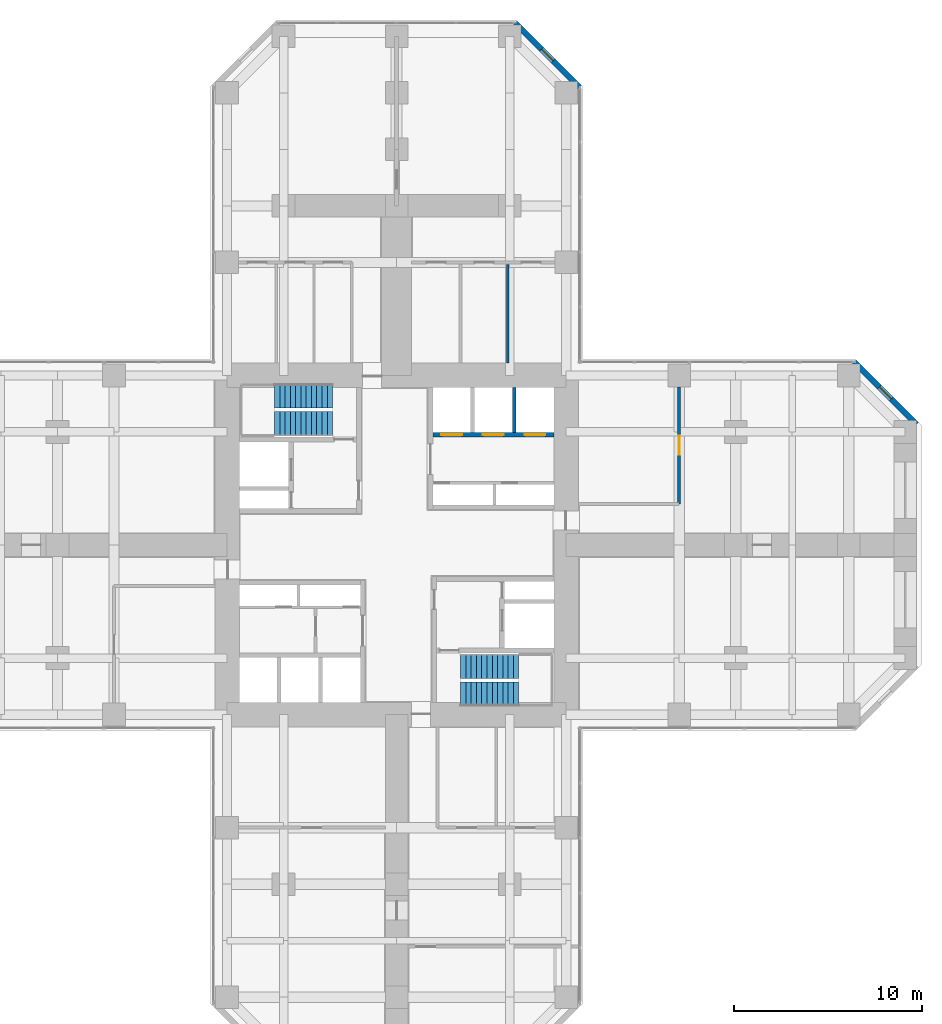
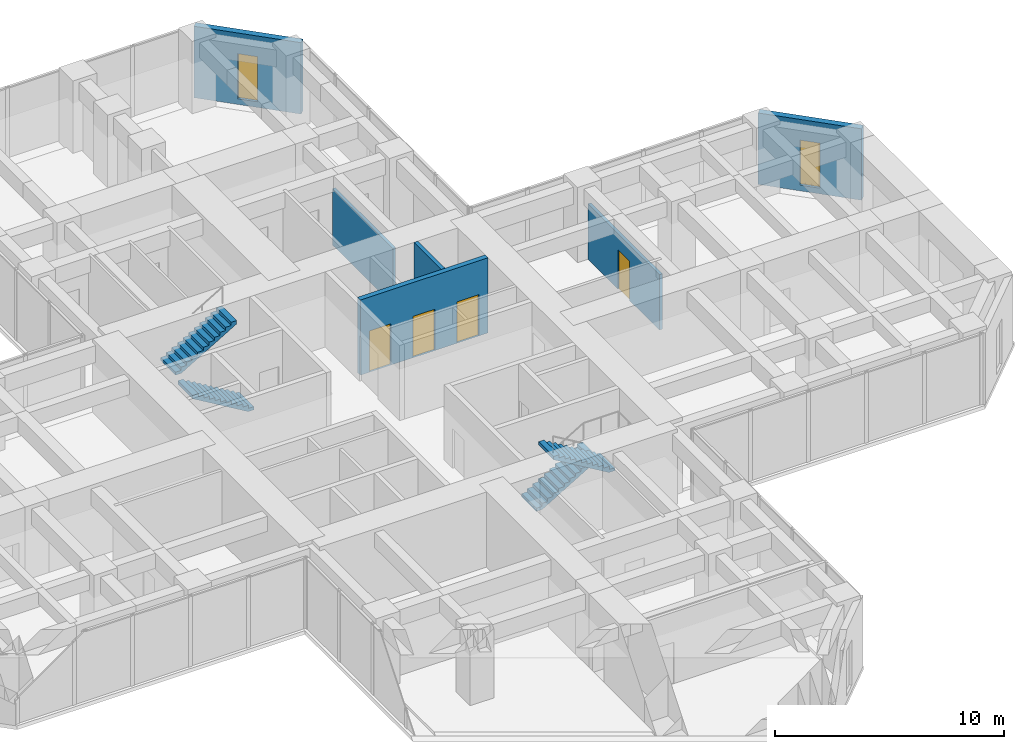
# One storey, part 11 of 12: 6 walls, 4 doors, 4 stair flights, 2 windows, 6 openings, 2 elements without a shape of their own.
"""IFC4 building model written with IfcOpenShell, lengths in metres."""

import ifcopenshell
import ifcopenshell.guid

model = None  # the IFC model being written
_history = None  # IfcOwnerHistory: only IFC2X3 demands one
_inside = {}  # id of a spatial element -> (the spatial element, [elements in it])
_under = {}  # id of a project, library or spatial element -> (it, [spatial elements below it])
_declared = {}  # id of a project -> (the project, [libraries it declares])
_typed = {}  # id of a type object -> (the type object, [elements of that type])
_made_of = {}  # id of a material, layer set ... -> (it, [elements and type objects made of it])


def new_model(schema):
    """Start an empty IFC model of exactly this schema.

    Asked for "IFC4X3", IfcOpenShell would pick the latest addendum, in which some entities
    have other attributes; the version numbers below select the first issue.
    IFC2X3 requires an IfcOwnerHistory on every rooted entity: one is made here for all.
    """
    global model, _history
    if schema == "IFC4X3":
        model = ifcopenshell.file(schema_version=(4, 3, 0, 0))
    else:
        model = ifcopenshell.file(schema=schema)
    _inside.clear()
    _under.clear()
    _declared.clear()
    _typed.clear()
    _made_of.clear()
    _history = None
    if model.schema == "IFC2X3":
        org = make("IfcOrganization", Name="unknown")
        user = make(
            "IfcPersonAndOrganization",
            ThePerson=make("IfcPerson", FamilyName="unknown"),
            TheOrganization=org,
        )
        app = make(
            "IfcApplication",
            ApplicationDeveloper=org,
            Version="unknown",
            ApplicationFullName="unknown",
            ApplicationIdentifier="unknown",
        )
        _history = make(
            "IfcOwnerHistory",
            OwningUser=user,
            OwningApplication=app,
            ChangeAction="ADDED",
            CreationDate=0,
        )
    return model


def make(cls, **values):
    """One entity of the class cls with the attributes given. An attribute that is None is left unset."""
    return model.create_entity(
        cls, **{name: value for name, value in values.items() if value is not None}
    )


def rooted(cls, **values):
    """An entity with a GlobalId (a new one), such as an element, a storey or a relation."""
    return make(cls, GlobalId=ifcopenshell.guid.new(), OwnerHistory=_history, **values)


def si_unit(unit_type, name, prefix=None):
    """IfcSIUnit, for example si_unit("LENGTHUNIT", "METRE", prefix="MILLI")."""
    return make("IfcSIUnit", UnitType=unit_type, Prefix=prefix, Name=name)


def assignment(units):
    """IfcUnitAssignment: the units of a project."""
    return None if units is None else make("IfcUnitAssignment", Units=units)


def point(xyz):
    """IfcCartesianPoint."""
    return None if xyz is None else make("IfcCartesianPoint", Coordinates=xyz)


def direction(xyz):
    """IfcDirection."""
    return None if xyz is None else make("IfcDirection", DirectionRatios=xyz)


def frame(location, z_axis=None, x_axis=None):
    """IfcAxis2Placement3D, a coordinate frame: its origin and axes. An axis left out is left unset."""
    return make(
        "IfcAxis2Placement3D",
        Location=point(location),
        Axis=direction(z_axis),
        RefDirection=direction(x_axis),
    )


def frame_2d(location, x_axis=None):
    """IfcAxis2Placement2D, a coordinate frame in the plane: its origin and x axis."""
    return make(
        "IfcAxis2Placement2D", Location=point(location), RefDirection=direction(x_axis)
    )


def origin():
    """The frame at (0, 0, 0) with its axes left unset."""
    return frame((0.0, 0.0, 0.0))


def place(relative_to, where):
    """IfcLocalPlacement: puts the frame where relative to a parent placement (None: the world)."""
    return make(
        "IfcLocalPlacement", PlacementRelTo=relative_to, RelativePlacement=where
    )


def context(
    kind, dimensions, precision=None, world=None, true_north=None, identifier=None
):
    """IfcGeometricRepresentationContext, for example the 3D "Model" context."""
    return make(
        "IfcGeometricRepresentationContext",
        ContextIdentifier=identifier,
        ContextType=kind,
        CoordinateSpaceDimension=dimensions,
        Precision=precision,
        WorldCoordinateSystem=world,
        TrueNorth=true_north,
    )


def subcontext(parent, identifier, kind, view, scale=None):
    """IfcGeometricRepresentationSubContext, for example "Body" below "Model"."""
    return make(
        "IfcGeometricRepresentationSubContext",
        ContextIdentifier=identifier,
        ContextType=kind,
        ParentContext=parent,
        TargetScale=scale,
        TargetView=view,
    )


def project(units=None, contexts=None):
    """IfcProject with its units and contexts."""
    return rooted(
        "IfcProject",
        Name="project",
        RepresentationContexts=contexts,
        UnitsInContext=assignment(units),
    )


def spatial(cls, under=None, at=None, **own):
    """A site, building, storey or space (cls), placed at a placement, below another one or the project."""
    s = rooted(cls, ObjectPlacement=at, **own)
    if under is not None:
        _under.setdefault(under.id(), (under, []))[1].append(s)
    return s


def polyline(points):
    """IfcPolyline through the points."""
    return make("IfcPolyline", Points=[point(p) for p in points])


def profile(cls, at=None, kind="AREA", **sizes):
    """A parametric profile (cls). Its sizes go by their IFC names, for example OverallWidth=200.0."""
    return make(cls, ProfileType=kind, Position=at, **sizes)


def rectangle(**sizes):
    """IfcRectangleProfileDef."""
    return profile("IfcRectangleProfileDef", **sizes)


def hollow_rectangle(**sizes):
    """IfcRectangleHollowProfileDef."""
    return profile("IfcRectangleHollowProfileDef", **sizes)


def outline(outer, holes=None, kind="AREA"):
    """IfcArbitraryClosedProfileDef: a profile drawn as a closed curve; with holes, ...WithVoids."""
    if holes is None:
        return make("IfcArbitraryClosedProfileDef", ProfileType=kind, OuterCurve=outer)
    return make(
        "IfcArbitraryProfileDefWithVoids",
        ProfileType=kind,
        OuterCurve=outer,
        InnerCurves=holes,
    )


def extrude(swept, where, along, depth):
    """IfcExtrudedAreaSolid: the profile swept, set in the frame where, extruded along a direction by depth."""
    return make(
        "IfcExtrudedAreaSolid",
        SweptArea=swept,
        Position=where,
        ExtrudedDirection=direction(along),
        Depth=depth,
    )


def shape(context_of_items, identifier, shape_type, items):
    """IfcShapeRepresentation: the items that make up one representation, for example the "Body"."""
    return make(
        "IfcShapeRepresentation",
        ContextOfItems=context_of_items,
        RepresentationIdentifier=identifier,
        RepresentationType=shape_type,
        Items=items,
    )


def material(Name=None, Category=None):
    """IfcMaterial."""
    return make("IfcMaterial", Name=Name, Category=Category)


def layer(
    of_material, thickness, ventilated=None, Name=None, Category=None, Priority=None
):
    """IfcMaterialLayer: one layer of a wall or slab, of a material (None: an air gap)."""
    return make(
        "IfcMaterialLayer",
        Material=of_material,
        LayerThickness=thickness,
        IsVentilated=ventilated,
        Name=Name,
        Category=Category,
        Priority=Priority,
    )


def layer_set(layers, Name=None):
    """IfcMaterialLayerSet."""
    return make("IfcMaterialLayerSet", MaterialLayers=layers, LayerSetName=Name)


def constituent(of_material, Name=None, Category=None, fraction=None):
    """IfcMaterialConstituent: one of the materials an element consists of."""
    return make(
        "IfcMaterialConstituent",
        Name=Name,
        Material=of_material,
        Fraction=fraction,
        Category=Category,
    )


def constituent_set(constituents=None, Name=None):
    """IfcMaterialConstituentSet."""
    return make(
        "IfcMaterialConstituentSet", Name=Name, MaterialConstituents=constituents
    )


def made_of(thing, what):
    """Note that an element or type object is made of a material, layer set ...; save() writes the relation."""
    if what is not None:
        _made_of.setdefault(what.id(), (what, []))[1].append(thing)
    return thing


def type_object(cls, material=None, **own):
    """A type object (cls), such as IfcWallType, which elements share."""
    return made_of(rooted(cls, **own), material)


def element(
    cls,
    number,
    at=None,
    inside=None,
    cuts=None,
    type_object=None,
    material=None,
    context=None,
    identifier="Body",
    shape_type=None,
    held_by="IfcProductDefinitionShape",
    body=None,
    shapes=None,
    **own,
):
    """One element of the class cls, such as IfcWall. Its Tag is "e" and its number.

    at: its placement. inside: the storey or other place that contains it. cuts: it is an
    opening in that element (IfcRelVoidsElement). A single representation is given by context,
    identifier, shape_type and body (its items); several are given by shapes. held_by: the class
    of the entity that holds the representations. save() writes the other relations.
    """
    e = rooted(cls, Tag="e%d" % number, ObjectPlacement=at, **own)
    if body is not None:
        shapes = [shape(context, identifier, shape_type, body)]
    if shapes is not None:
        e.Representation = make(held_by, Representations=shapes)
    if inside is not None:
        _inside.setdefault(inside.id(), (inside, []))[1].append(e)
    if cuts is not None:
        rooted(
            "IfcRelVoidsElement", RelatingBuildingElement=cuts, RelatedOpeningElement=e
        )
    if type_object is not None:
        _typed.setdefault(type_object.id(), (type_object, []))[1].append(e)
    return made_of(e, material)


def fill(opening, filler):
    """IfcRelFillsElement: the door or window that sits in an opening."""
    return rooted(
        "IfcRelFillsElement",
        RelatingOpeningElement=opening,
        RelatedBuildingElement=filler,
    )


def aggregate(whole, parts):
    """IfcRelAggregates: a whole, such as a stair, and the parts it consists of."""
    return rooted("IfcRelAggregates", RelatingObject=whole, RelatedObjects=parts)


def save(model, path):
    """Write the relations noted so far, then the file.

    IfcRelAggregates (storeys below a building ...), IfcRelContainedInSpatialStructure (elements
    in a storey), IfcRelDefinesByType, IfcRelAssociatesMaterial and IfcRelDeclares: one each for
    every whole, place, type object, material and project.
    """
    for whole, parts in _under.values():
        aggregate(whole, parts)
    for where, things in _inside.values():
        rooted(
            "IfcRelContainedInSpatialStructure",
            RelatedElements=things,
            RelatingStructure=where,
        )
    for kind, things in _typed.values():
        rooted("IfcRelDefinesByType", RelatedObjects=things, RelatingType=kind)
    for what, things in _made_of.values():
        rooted("IfcRelAssociatesMaterial", RelatedObjects=things, RelatingMaterial=what)
    for by, libraries in _declared.values():
        rooted("IfcRelDeclares", RelatingContext=by, RelatedDefinitions=libraries)
    model.write(path)


model = new_model("IFC4")

# Units and contexts
model_context = context("Model", 3, precision=1e-05, world=origin(), true_north=direction((0.0, 1.0)))
body_context = subcontext(model_context, "Body", "Model", "MODEL_VIEW")
ifc_project = project(units=[si_unit("LENGTHUNIT", "METRE"), si_unit("AREAUNIT", "SQUARE_METRE"), si_unit("VOLUMEUNIT", "CUBIC_METRE"), si_unit("PLANEANGLEUNIT", "RADIAN"), si_unit("MASSUNIT", "GRAM", prefix="KILO")], contexts=[model_context])

# Site, building, storey
site_placement = place(None, origin())
site = spatial("IfcSite", under=ifc_project, at=site_placement, CompositionType="ELEMENT")
building_placement = place(site_placement, origin())
building = spatial("IfcBuilding", under=site, at=building_placement, Name="Torre Cruceta", CompositionType="ELEMENT")
storey_placement = place(building_placement, frame((0.0, 0.0, 75.5)))
storey = spatial("IfcBuildingStorey", under=building, at=storey_placement, Name="L18", CompositionType="ELEMENT", Elevation=75.5)

# Wall, openings, doors
ifc_material_1 = material(Name="Concrete G60 (fck 60 MPa)", Category="concrete")
ifc_layer_1 = layer(ifc_material_1, 0.25)
ifc_layer_set_1 = layer_set([ifc_layer_1], Name="Concrete G60 (fck 60 MPa)")
wall_type_1 = type_object("IfcWallType", Name="CORE INNER WALL 250 G60", PredefinedType="SHEAR", material=ifc_layer_set_1)
wall_1_placement = place(storey_placement, frame((1.925048828125, 5.85009765625, 0.0), z_axis=(0.0, 0.0, 1.0), x_axis=(1.0, 0.0, 0.0)))
wall_1 = element("IfcWall", 1, at=wall_1_placement, inside=storey, type_object=wall_type_1, Name="CW4 L18 NE-LV", PredefinedType="SHEAR", context=body_context, shape_type="SweptSolid", body=[
    extrude(rectangle(XDim=6.425048828125, YDim=0.25, at=frame_2d((3.21240234375, 0.0))), origin(), (0.0, 0.0, 1.0), 4.0),
])
opening_1_placement = place(wall_1_placement, frame((0.4541015625, 0.0, 0.0)))
opening_1 = element("IfcOpeningElement", 2, at=opening_1_placement, cuts=wall_1, Name="Opening LD1", PredefinedType="OPENING", context=body_context, shape_type="SweptSolid", body=[
    extrude(rectangle(XDim=1.10009765625, YDim=2.199951171875, at=frame_2d((0.550048828125, 1.10009765625))), frame((0.0, 0.135009765625, 0.0), z_axis=(0.0, -1.0, 0.0), x_axis=(1.0, 0.0, 0.0)), (0.0, 0.0, 1.0), 0.27001953125),
])
opening_2_placement = place(wall_1_placement, frame((2.66259765625, 0.0, 0.0)))
opening_2 = element("IfcOpeningElement", 3, at=opening_2_placement, cuts=wall_1, Name="Opening LD1", PredefinedType="OPENING", context=body_context, shape_type="SweptSolid", body=[
    extrude(rectangle(XDim=1.10009765625, YDim=2.199951171875, at=frame_2d((0.550048828125, 1.10009765625))), frame((0.0, 0.135009765625, 0.0), z_axis=(0.0, -1.0, 0.0), x_axis=(1.0, 0.0, 0.0)), (0.0, 0.0, 1.0), 0.27001953125),
])
opening_3_placement = place(wall_1_placement, frame((4.870849609375, 0.0, 0.0)))
opening_3 = element("IfcOpeningElement", 4, at=opening_3_placement, cuts=wall_1, Name="Opening LD1", PredefinedType="OPENING", context=body_context, shape_type="SweptSolid", body=[
    extrude(rectangle(XDim=1.10009765625, YDim=2.199951171875, at=frame_2d((0.550048828125, 1.10009765625))), frame((0.0, 0.135009765625, 0.0), z_axis=(0.0, -1.0, 0.0), x_axis=(1.0, 0.0, 0.0)), (0.0, 0.0, 1.0), 0.27001953125),
])
ifc_material_2 = material(Name="Stainless steel 1.4401", Category="steel")
door_type_1 = type_object("IfcDoorType", Name="LIFT LANDING DOOR 1100X2200", OperationType="DOUBLE_DOOR_SLIDING", PredefinedType="DOOR", material=ifc_material_2)
door_1_placement = place(opening_1_placement, origin())
door_1 = element("IfcDoor", 5, at=door_1_placement, inside=storey, type_object=door_type_1, Name="Lift landing door P1", OperationType="DOUBLE_DOOR_SLIDING", OverallHeight=2.199951171875, OverallWidth=1.10009765625, PredefinedType="DOOR", context=body_context, shape_type="SweptSolid", body=[
    extrude(rectangle(XDim=1.10009765625, YDim=2.199951171875, at=frame_2d((0.550048828125, 1.10009765625))), frame((0.0, 0.02490234375, 0.0), z_axis=(0.0, -1.0, 0.0), x_axis=(1.0, 0.0, 0.0)), (0.0, 0.0, 1.0), 0.050048828125),
])
fill(opening_1, door_1)
door_2_placement = place(opening_2_placement, origin())
door_2 = element("IfcDoor", 6, at=door_2_placement, inside=storey, type_object=door_type_1, Name="Lift landing door P2", OperationType="DOUBLE_DOOR_SLIDING", OverallHeight=2.199951171875, OverallWidth=1.10009765625, PredefinedType="DOOR", context=body_context, shape_type="SweptSolid", body=[
    extrude(rectangle(XDim=1.10009765625, YDim=2.199951171875, at=frame_2d((0.550048828125, 1.10009765625))), frame((0.0, 0.02490234375, 0.0), z_axis=(0.0, -1.0, 0.0), x_axis=(1.0, 0.0, 0.0)), (0.0, 0.0, 1.0), 0.050048828125),
])
fill(opening_2, door_2)
door_3_placement = place(opening_3_placement, origin())
door_3 = element("IfcDoor", 7, at=door_3_placement, inside=storey, type_object=door_type_1, Name="Lift landing door P3", OperationType="DOUBLE_DOOR_SLIDING", OverallHeight=2.199951171875, OverallWidth=1.10009765625, PredefinedType="DOOR", context=body_context, shape_type="SweptSolid", body=[
    extrude(rectangle(XDim=1.10009765625, YDim=2.199951171875, at=frame_2d((0.550048828125, 1.10009765625))), frame((0.0, 0.02490234375, 0.0), z_axis=(0.0, -1.0, 0.0), x_axis=(1.0, 0.0, 0.0)), (0.0, 0.0, 1.0), 0.050048828125),
])
fill(opening_3, door_3)

# Wall, opening, window
ifc_material_3 = material(Name="Concrete G30 (fck 30 MPa)", Category="concrete")
ifc_layer_2 = layer(ifc_material_3, 0.300048828125)
ifc_layer_set_2 = layer_set([ifc_layer_2], Name="Concrete G30 (fck 30 MPa)")
wall_type_2 = type_object("IfcWallType", Name="EXPOSED CONCRETE FACADE WALL 300", PredefinedType="SOLIDWALL", material=ifc_layer_set_2)
wall_2_placement = place(storey_placement, frame((27.60009765625, 6.418212890625, 0.0), z_axis=(0.0, 0.0, 1.0), x_axis=(-0.707106781187, 0.707106781187, 0.0)))
wall_2 = element("IfcWall", 8, at=wall_2_placement, inside=storey, type_object=wall_type_2, Name="EW1 facade wall L18 E chamfer 03", PredefinedType="SOLIDWALL", context=body_context, shape_type="SweptSolid", body=[
    extrude(rectangle(XDim=4.66943359375, YDim=0.300048828125, at=frame_2d((2.334716796875, 0.0))), origin(), (0.0, 0.0, 1.0), 3.800048828125),
])
opening_4_placement = place(wall_2_placement, frame((1.884765625, 0.0, 0.300048828125)))
opening_4 = element("IfcOpeningElement", 9, at=opening_4_placement, cuts=wall_2, Name="Opening WN5", PredefinedType="OPENING", context=body_context, shape_type="SweptSolid", body=[
    extrude(rectangle(XDim=0.89990234375, YDim=2.39990234375, at=frame_2d((0.449951171875, 1.199951171875))), frame((0.0, 0.159912109375, 0.0), z_axis=(0.0, -1.0, 0.0), x_axis=(1.0, 0.0, 0.0)), (0.0, 0.0, 1.0), 0.320068359375),
])
ifc_material_4 = material(Name="Aluminium window frame", Category="aluminium")
ifc_constituent_1 = constituent(ifc_material_4, Name="Frame")
ifc_material_5 = material(Name="Laminated insulating glass unit, low-iron clear", Category="glass")
ifc_constituent_2 = constituent(ifc_material_5, Name="Glazing")
ifc_constituent_set_1 = constituent_set(constituents=[ifc_constituent_1, ifc_constituent_2], Name="Aluminium window")
window_type = type_object("IfcWindowType", Name="CHAMFER SLOT WINDOW 900X2400", PartitioningType="SINGLE_PANEL", PredefinedType="WINDOW", material=ifc_constituent_set_1)
window_1_placement = place(opening_4_placement, origin())
window_1 = element("IfcWindow", 10, at=window_1_placement, inside=storey, type_object=window_type, Name="WN5 L18 E 1", OverallHeight=2.39990234375, OverallWidth=0.89990234375, PartitioningType="SINGLE_PANEL", PredefinedType="WINDOW", context=body_context, shape_type="SweptSolid", body=[
    extrude(hollow_rectangle(XDim=0.89990234375, YDim=2.39990234375, WallThickness=0.06005859375, at=frame_2d((0.449951171875, 1.199951171875))), frame((0.0, 0.030029296875, 0.0), z_axis=(0.0, -1.0, 0.0), x_axis=(1.0, 0.0, 0.0)), (0.0, 0.0, 1.0), 0.06005859375),
    extrude(rectangle(XDim=0.77880859375, YDim=2.27880859375, at=frame_2d((0.449951171875, 1.199951171875))), frame((0.0, 0.030029296875, 0.0), z_axis=(0.0, -1.0, 0.0), x_axis=(1.0, 0.0, 0.0)), (0.0, 0.0, 1.0), 0.06005859375),
])
fill(opening_4, window_1)

wall_3_placement = place(storey_placement, frame((9.719970703125, 24.29833984375, 0.0), z_axis=(0.0, 0.0, 1.0), x_axis=(-0.707106781187, 0.707106781187, 0.0)))
wall_3 = element("IfcWall", 11, at=wall_3_placement, inside=storey, type_object=wall_type_2, Name="EW1 facade wall L18 N chamfer 06", PredefinedType="SOLIDWALL", context=body_context, shape_type="SweptSolid", body=[
    extrude(rectangle(XDim=4.8388671875, YDim=0.300048828125, at=frame_2d((2.41943359375, 0.0))), origin(), (0.0, 0.0, 1.0), 3.800048828125),
])
opening_5_placement = place(wall_3_placement, frame((1.969482421875, 0.0, 0.300048828125)))
opening_5 = element("IfcOpeningElement", 12, at=opening_5_placement, cuts=wall_3, Name="Opening WN5", PredefinedType="OPENING", context=body_context, shape_type="SweptSolid", body=[
    extrude(rectangle(XDim=0.89990234375, YDim=2.39990234375, at=frame_2d((0.449951171875, 1.199951171875))), frame((0.0, 0.159912109375, 0.0), z_axis=(0.0, -1.0, 0.0), x_axis=(1.0, 0.0, 0.0)), (0.0, 0.0, 1.0), 0.320068359375),
])
window_2_placement = place(opening_5_placement, origin())
window_2 = element("IfcWindow", 13, at=window_2_placement, inside=storey, type_object=window_type, Name="WN5 L18 N 1", OverallHeight=2.39990234375, OverallWidth=0.89990234375, PartitioningType="SINGLE_PANEL", PredefinedType="WINDOW", context=body_context, shape_type="SweptSolid", body=[
    extrude(hollow_rectangle(XDim=0.89990234375, YDim=2.39990234375, WallThickness=0.06005859375, at=frame_2d((0.449951171875, 1.199951171875))), frame((0.0, 0.030029296875, 0.0), z_axis=(0.0, -1.0, 0.0), x_axis=(1.0, 0.0, 0.0)), (0.0, 0.0, 1.0), 0.06005859375),
    extrude(rectangle(XDim=0.77880859375, YDim=2.27880859375, at=frame_2d((0.449951171875, 1.199951171875))), frame((0.0, 0.030029296875, 0.0), z_axis=(0.0, -1.0, 0.0), x_axis=(1.0, 0.0, 0.0)), (0.0, 0.0, 1.0), 0.06005859375),
])
fill(opening_5, window_2)

# Walls
ifc_material_6 = material(Name="Concrete G35 (fck 35 MPa)", Category="concrete")
ifc_layer_3 = layer(ifc_material_6, 0.199951171875)
ifc_layer_set_3 = layer_set([ifc_layer_3], Name="Concrete G35 (fck 35 MPa)")
wall_type_3 = type_object("IfcWallType", Name="LIFT SHAFT WALL 200", PredefinedType="PARTITIONING", material=ifc_layer_set_3)
wall_4_placement = place(storey_placement, frame((6.24169921875, 5.97509765625, 0.0), z_axis=(0.0, 0.0, 1.0), x_axis=(0.0, 1.0, 0.0)))
element("IfcWall", 14, at=wall_4_placement, inside=storey, type_object=wall_type_3, Name="SW1 L18 NE-LS2", PredefinedType="PARTITIONING", context=body_context, shape_type="SweptSolid", body=[
    extrude(rectangle(XDim=2.375, YDim=0.199951171875, at=frame_2d((1.1875, 0.0))), origin(), (0.0, 0.0, 1.0), 4.0),
])
ifc_material_7 = material(Name="Plasterboard on steel studs", Category="steel")
ifc_layer_4 = layer(ifc_material_7, 0.14990234375)
ifc_layer_set_4 = layer_set([ifc_layer_4], Name="Plasterboard on steel studs")
wall_type_4 = type_object("IfcWallType", Name="PARTITION 150", PredefinedType="PARTITIONING", material=ifc_layer_set_4)
wall_5_placement = place(storey_placement, frame((5.89990234375, 9.64990234375, 0.0), z_axis=(0.0, 0.0, 1.0), x_axis=(0.0, 1.0, 0.0)))
element("IfcWall", 15, at=wall_5_placement, inside=storey, type_object=wall_type_4, Name="PT1 L18-N-BDR2", PredefinedType="PARTITIONING", context=body_context, shape_type="SweptSolid", body=[
    extrude(rectangle(XDim=5.25, YDim=0.14990234375, at=frame_2d((2.625, 0.0))), origin(), (0.0, 0.0, 1.0), 3.0),
])

# Wall, opening, door
wall_6_placement = place(storey_placement, frame((15.0, 2.175048828125, 0.0), z_axis=(0.0, 0.0, 1.0), x_axis=(0.0, 1.0, 0.0)))
wall_6 = element("IfcWall", 16, at=wall_6_placement, inside=storey, type_object=wall_type_4, Name="PT1 L18-E-BFL", PredefinedType="PARTITIONING", context=body_context, shape_type="SweptSolid", body=[
    extrude(rectangle(XDim=6.224853515625, YDim=0.14990234375, at=frame_2d((3.1123046875, 0.0))), origin(), (0.0, 0.0, 1.0), 2.949951171875),
])
opening_6_placement = place(wall_6_placement, frame((2.612548828125, 0.0, 0.0)))
opening_6 = element("IfcOpeningElement", 17, at=opening_6_placement, cuts=wall_6, Name="Opening D3", PredefinedType="OPENING", context=body_context, shape_type="SweptSolid", body=[
    extrude(rectangle(XDim=1.0, YDim=2.10009765625, at=frame_2d((0.5, 1.050048828125))), frame((0.0, 0.0849609375, 0.0), z_axis=(0.0, -1.0, 0.0), x_axis=(1.0, 0.0, 0.0)), (0.0, 0.0, 1.0), 0.169921875),
])
ifc_material_8 = material(Name="Steel DX51D", Category="steel")
ifc_constituent_3 = constituent(ifc_material_8, Name="Leaf and frame")
ifc_material_9 = material(Name="Polyester powder coating", Category="paint")
ifc_constituent_4 = constituent(ifc_material_9, Name="Finish")
ifc_constituent_set_2 = constituent_set(constituents=[ifc_constituent_3, ifc_constituent_4], Name="Steel fire door")
door_type_2 = type_object("IfcDoorType", Name="FIRE DOOR 1000X2100", OperationType="SINGLE_SWING_LEFT", PredefinedType="DOOR", material=ifc_constituent_set_2)
door_4_placement = place(opening_6_placement, origin())
door_4 = element("IfcDoor", 18, at=door_4_placement, inside=storey, type_object=door_type_2, Name="D3 L18-E-BFL-D1", OperationType="SINGLE_SWING_LEFT", OverallHeight=2.10009765625, OverallWidth=1.0, PredefinedType="DOOR", context=body_context, shape_type="SweptSolid", body=[
    extrude(rectangle(XDim=1.0, YDim=2.10009765625, at=frame_2d((0.5, 1.050048828125))), frame((0.0, 0.02490234375, 0.0), z_axis=(0.0, -1.0, 0.0), x_axis=(1.0, 0.0, 0.0)), (0.0, 0.0, 1.0), 0.050048828125),
])
fill(opening_6, door_4)

# Stair, stair flights
ifc_material_10 = material(Name="Concrete G30 (fck 30 MPa)", Category="concrete")
stair_type = type_object("IfcStairType", Name="STAIR HALF-TURN 1300", PredefinedType="HALF_TURN_STAIR", material=ifc_material_10)
stair_1_placement = place(storey_placement, origin())
stair_1 = element("IfcStair", 19, at=stair_1_placement, inside=storey, type_object=stair_type, Name="Stair ST1 L18", PredefinedType="HALF_TURN_STAIR")
ifc_material_11 = material(Name="Concrete G30 (fck 30 MPa)", Category="concrete")
stair_flight_type = type_object("IfcStairFlightType", Name="STAIR FLIGHT 1300", PredefinedType="STRAIGHT", material=ifc_material_11)
stair_flight_1_placement = place(storey_placement, frame((-3.39990234375, 6.425048828125, 0.0), z_axis=(0.0, 0.0, 1.0), x_axis=(-1.0, 0.0, 0.0)))
stair_flight_1 = element("IfcStairFlight", 20, at=stair_flight_1_placement, type_object=stair_flight_type, Name="ST1 flight 1", NumberOfRisers=12, NumberOfTreads=11, PredefinedType="STRAIGHT", RiserHeight=0.166666667, TreadLength=0.28, context=body_context, shape_type="SweptSolid", body=[
    extrude(outline(polyline([(0.0, 0.0), (0.0, 0.166748046875), (0.280029296875, 0.166748046875), (0.280029296875, 0.333251953125), (0.56005859375, 0.333251953125), (0.56005859375, 0.5), (0.840087890625, 0.5), (0.840087890625, 0.666748046875), (1.1201171875, 0.666748046875), (1.1201171875, 0.833251953125), (1.39990234375, 0.833251953125), (1.39990234375, 1.0), (1.679931640625, 1.0), (1.679931640625, 1.166748046875), (1.9599609375, 1.166748046875), (1.9599609375, 1.333251953125), (2.239990234375, 1.333251953125), (2.239990234375, 1.5), (2.52001953125, 1.5), (2.52001953125, 1.666748046875), (2.800048828125, 1.666748046875), (2.800048828125, 1.833251953125), (3.080078125, 1.833251953125), (3.080078125, 2.0), (3.080078125, 1.658935546875), (0.29296875, 0.0), (0.0, 0.0)])), frame((0.0, 0.64990234375, 0.0), z_axis=(0.0, -1.0, 0.0), x_axis=(1.0, 0.0, 0.0)), (0.0, 0.0, 1.0), 1.300048828125),
])
stair_flight_2_placement = place(storey_placement, frame((-6.47998046875, 7.925048828125, 2.0), z_axis=(0.0, 0.0, 1.0), x_axis=(1.0, 0.0, 0.0)))
stair_flight_2 = element("IfcStairFlight", 21, at=stair_flight_2_placement, type_object=stair_flight_type, Name="ST1 flight 2", NumberOfRisers=12, NumberOfTreads=11, PredefinedType="STRAIGHT", RiserHeight=0.166666667, TreadLength=0.28, context=body_context, shape_type="SweptSolid", body=[
    extrude(outline(polyline([(0.0, 0.0), (0.0, 0.166748046875), (0.280029296875, 0.166748046875), (0.280029296875, 0.333251953125), (0.56005859375, 0.333251953125), (0.56005859375, 0.5), (0.840087890625, 0.5), (0.840087890625, 0.666748046875), (1.1201171875, 0.666748046875), (1.1201171875, 0.833251953125), (1.39990234375, 0.833251953125), (1.39990234375, 1.0), (1.679931640625, 1.0), (1.679931640625, 1.166748046875), (1.9599609375, 1.166748046875), (1.9599609375, 1.333251953125), (2.239990234375, 1.333251953125), (2.239990234375, 1.5), (2.52001953125, 1.5), (2.52001953125, 1.666748046875), (2.800048828125, 1.666748046875), (2.800048828125, 1.833251953125), (3.080078125, 1.833251953125), (3.080078125, 2.0), (3.080078125, 1.658935546875), (0.29296875, 0.0), (0.0, 0.0)])), frame((0.0, 0.64990234375, 0.0), z_axis=(0.0, -1.0, 0.0), x_axis=(1.0, 0.0, 0.0)), (0.0, 0.0, 1.0), 1.300048828125),
])
aggregate(stair_1, [stair_flight_1, stair_flight_2])

stair_2_placement = place(storey_placement, origin())
stair_2 = element("IfcStair", 22, at=stair_2_placement, inside=storey, type_object=stair_type, Name="Stair ST2 L18", PredefinedType="HALF_TURN_STAIR")
stair_flight_3_placement = place(storey_placement, frame((3.39990234375, -6.425048828125, 0.0), z_axis=(0.0, 0.0, 1.0), x_axis=(1.0, 0.0, 0.0)))
stair_flight_3 = element("IfcStairFlight", 23, at=stair_flight_3_placement, type_object=stair_flight_type, Name="ST2 flight 1", NumberOfRisers=12, NumberOfTreads=11, PredefinedType="STRAIGHT", RiserHeight=0.166666667, TreadLength=0.28, context=body_context, shape_type="SweptSolid", body=[
    extrude(outline(polyline([(0.0, 0.0), (0.0, 0.166748046875), (0.280029296875, 0.166748046875), (0.280029296875, 0.333251953125), (0.56005859375, 0.333251953125), (0.56005859375, 0.5), (0.840087890625, 0.5), (0.840087890625, 0.666748046875), (1.1201171875, 0.666748046875), (1.1201171875, 0.833251953125), (1.39990234375, 0.833251953125), (1.39990234375, 1.0), (1.679931640625, 1.0), (1.679931640625, 1.166748046875), (1.9599609375, 1.166748046875), (1.9599609375, 1.333251953125), (2.239990234375, 1.333251953125), (2.239990234375, 1.5), (2.52001953125, 1.5), (2.52001953125, 1.666748046875), (2.800048828125, 1.666748046875), (2.800048828125, 1.833251953125), (3.080078125, 1.833251953125), (3.080078125, 2.0), (3.080078125, 1.658935546875), (0.29296875, 0.0), (0.0, 0.0)])), frame((0.0, 0.64990234375, 0.0), z_axis=(0.0, -1.0, 0.0), x_axis=(1.0, 0.0, 0.0)), (0.0, 0.0, 1.0), 1.300048828125),
])
stair_flight_4_placement = place(storey_placement, frame((6.47998046875, -7.925048828125, 2.0), z_axis=(0.0, 0.0, 1.0), x_axis=(-1.0, 0.0, 0.0)))
stair_flight_4 = element("IfcStairFlight", 24, at=stair_flight_4_placement, type_object=stair_flight_type, Name="ST2 flight 2", NumberOfRisers=12, NumberOfTreads=11, PredefinedType="STRAIGHT", RiserHeight=0.166666667, TreadLength=0.28, context=body_context, shape_type="SweptSolid", body=[
    extrude(outline(polyline([(0.0, 0.0), (0.0, 0.166748046875), (0.280029296875, 0.166748046875), (0.280029296875, 0.333251953125), (0.56005859375, 0.333251953125), (0.56005859375, 0.5), (0.840087890625, 0.5), (0.840087890625, 0.666748046875), (1.1201171875, 0.666748046875), (1.1201171875, 0.833251953125), (1.39990234375, 0.833251953125), (1.39990234375, 1.0), (1.679931640625, 1.0), (1.679931640625, 1.166748046875), (1.9599609375, 1.166748046875), (1.9599609375, 1.333251953125), (2.239990234375, 1.333251953125), (2.239990234375, 1.5), (2.52001953125, 1.5), (2.52001953125, 1.666748046875), (2.800048828125, 1.666748046875), (2.800048828125, 1.833251953125), (3.080078125, 1.833251953125), (3.080078125, 2.0), (3.080078125, 1.658935546875), (0.29296875, 0.0), (0.0, 0.0)])), frame((0.0, 0.64990234375, 0.0), z_axis=(0.0, -1.0, 0.0), x_axis=(1.0, 0.0, 0.0)), (0.0, 0.0, 1.0), 1.300048828125),
])
aggregate(stair_2, [stair_flight_3, stair_flight_4])

save(model, "model.ifc")
